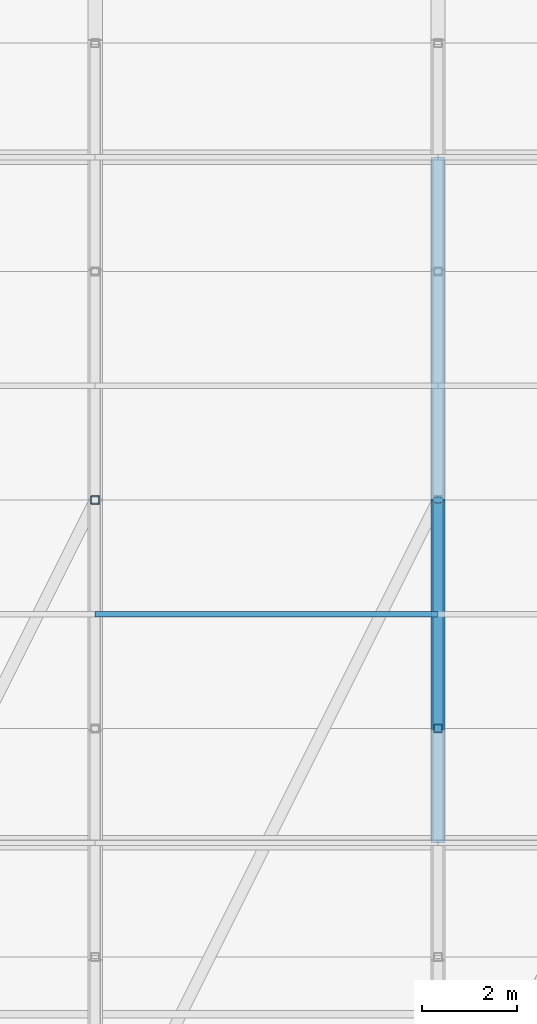
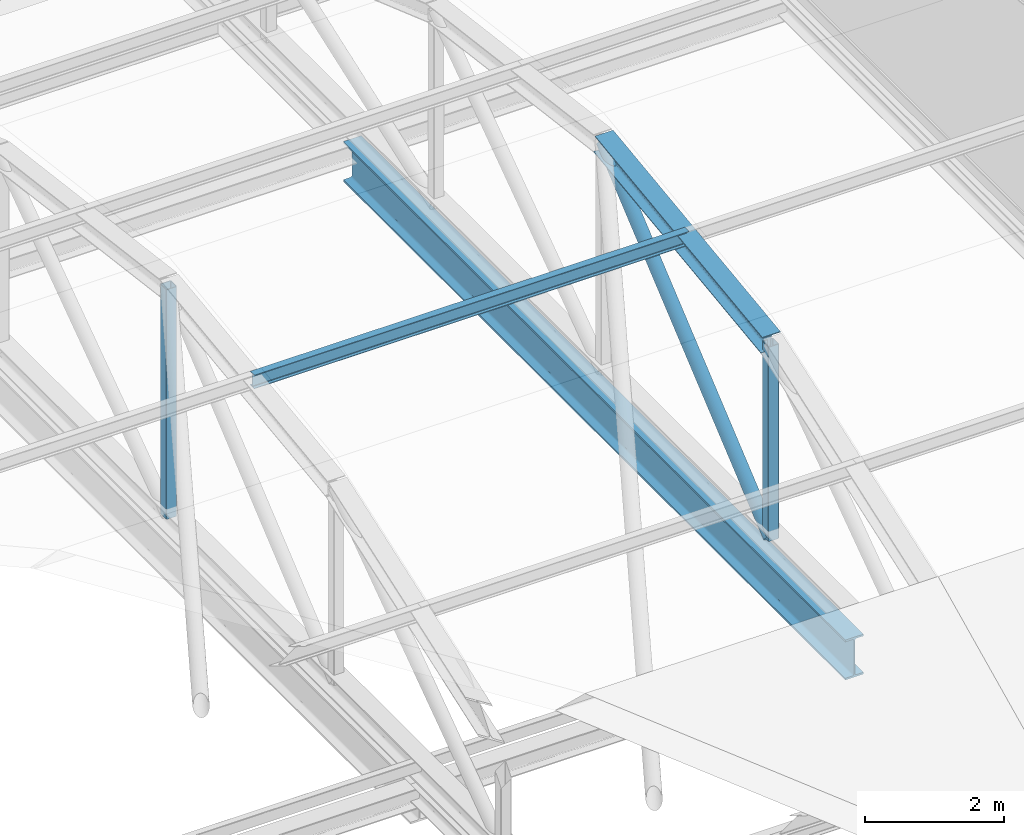
# One storey, part 21 of 103: 4 members, 2 beams.
"""IFC4 building model written with IfcOpenShell, lengths in metres."""

from ifc_helpers import new_model, si_unit, direction, frame, origin, origin_2d, place, context, subcontext, project, spatial, hollow_rectangle, hollow_circle, i_section, extrude, material, material_profile, profile_set, type_object, element, save


model = new_model("IFC4")

# Units and contexts
model_context = context("Model", 3, precision=1e-05, world=origin(), true_north=direction((0.0, 1.0)))
body_context = subcontext(model_context, "Body", "Model", "MODEL_VIEW")
ifc_project = project(units=[si_unit("LENGTHUNIT", "METRE"), si_unit("AREAUNIT", "SQUARE_METRE"), si_unit("VOLUMEUNIT", "CUBIC_METRE"), si_unit("PLANEANGLEUNIT", "RADIAN"), si_unit("MASSUNIT", "GRAM", prefix="KILO")], contexts=[model_context])

# Site, building, storey
site_placement = place(None, origin())
site = spatial("IfcSite", under=ifc_project, at=site_placement, CompositionType="ELEMENT")
building_placement = place(site_placement, origin())
building = spatial("IfcBuilding", under=site, at=building_placement, Name="Zlatovets Crest Museum", CompositionType="ELEMENT")
storey_placement = place(building_placement, frame((0.0, 0.0, 12.89990234375)))
storey = spatial("IfcBuildingStorey", under=building, at=storey_placement, Name="L03", CompositionType="ELEMENT", Elevation=12.89990234375)

# Beams
ifc_material = material(Name="Structural steel S355J2", Category="steel")
ifc_material_profile_1 = material_profile(ifc_material, i_section(OverallWidth=0.300048828125, OverallDepth=0.699951171875, WebThickness=0.01708984375, FlangeThickness=0.031982421875, FilletRadius=0.027099609375, at=origin_2d()), Name="HEB 700")
ifc_profile_set_1 = profile_set([ifc_material_profile_1], Name="Structural steel S355J2")
beam_type_1 = type_object("IfcBeamType", Name="Beam_B-08", PredefinedType="BEAM", material=ifc_profile_set_1)
beam_1_placement = place(storey_placement, frame((21.60009765625, 7.199951171875, -0.56982421875), z_axis=(0.0, 1.0, 0.0), x_axis=(-1.0, 0.0, 0.0)))
element("IfcBeam", 1, at=beam_1_placement, inside=storey, type_object=beam_type_1, Name="V3 L03 Grid Beam B-08", PredefinedType="BEAM", context=body_context, shape_type="SweptSolid", body=[
    extrude(i_section(OverallWidth=0.300048828125, OverallDepth=0.699951171875, WebThickness=0.01708984375, FlangeThickness=0.031982421875, FilletRadius=0.027099609375, at=origin_2d()), origin(), (0.0, 0.0, 1.0), 14.400146484375),
])
ifc_material_profile_2 = material_profile(ifc_material, i_section(OverallWidth=0.1201171875, OverallDepth=0.239990234375, WebThickness=0.006103515625, FlangeThickness=0.009765625, FilletRadius=0.014892578125, at=origin_2d()), Name="IPE 240")
ifc_profile_set_2 = profile_set([ifc_material_profile_2], Name="Structural steel S355J2")
beam_type_2 = type_object("IfcBeamType", Name="Beam_PR-01", PredefinedType="BEAM", material=ifc_profile_set_2)
beam_2_placement = place(storey_placement, frame((14.39990234375, 12.0, 3.89208984375), z_axis=(1.0, 0.0, 0.0), x_axis=(0.0, 1.0, 0.0)))
element("IfcBeam", 2, at=beam_2_placement, inside=storey, type_object=beam_type_2, Name="V3 Barrel Vault Longitudinal Purlin", PredefinedType="BEAM", context=body_context, shape_type="SweptSolid", body=[
    extrude(i_section(OverallWidth=0.1201171875, OverallDepth=0.239990234375, WebThickness=0.006103515625, FlangeThickness=0.009765625, FilletRadius=0.014892578125, at=origin_2d()), origin(), (0.0, 0.0, 1.0), 7.2001953125),
])

# Members
ifc_material_profile_3 = material_profile(ifc_material, i_section(OverallWidth=0.300048828125, OverallDepth=0.31005859375, WebThickness=0.009033203125, FlangeThickness=0.015380859375, FilletRadius=0.027099609375, at=origin_2d()), Name="HEA 320")
ifc_profile_set_3 = profile_set([ifc_material_profile_3], Name="Structural steel S355J2")
member_type_1 = type_object("IfcMemberType", Name="Member_TM-02", PredefinedType="RAFTER", material=ifc_profile_set_3)
member_1_placement = place(storey_placement, frame((21.60009765625, 9.60009765625, 3.48388671875), z_axis=(0.0, 0.991859459137, 0.127337399535), x_axis=(-1.0, 0.0, 0.0)))
element("IfcMember", 3, at=member_1_placement, inside=storey, type_object=member_type_1, Name="V3 Art Nouveau Curved Vault Rib", PredefinedType="RAFTER", context=body_context, shape_type="SweptSolid", body=[
    extrude(i_section(OverallWidth=0.300048828125, OverallDepth=0.31005859375, WebThickness=0.009033203125, FlangeThickness=0.015380859375, FilletRadius=0.027099609375, at=origin_2d()), origin(), (0.0, 0.0, 1.0), 4.839111328125),
])
ifc_material_profile_4 = material_profile(ifc_material, hollow_rectangle(XDim=0.179931640625, YDim=0.179931640625, WallThickness=0.010009765625, InnerFilletRadius=0.010009765625, OuterFilletRadius=0.02001953125, at=origin_2d()), Name="SHS 180x180x10.0")
ifc_profile_set_4 = profile_set([ifc_material_profile_4], Name="Structural steel S355J2")
member_type_2 = type_object("IfcMemberType", Name="Member_TM-04", PredefinedType="STRUT", material=ifc_profile_set_4)
member_2_placement = place(storey_placement, frame((14.39990234375, 14.39990234375, 0.080078125), z_axis=(0.0, 0.0, 1.0), x_axis=(1.0, 0.0, 0.0)))
element("IfcMember", 4, at=member_2_placement, inside=storey, type_object=member_type_2, Name="V3 Barrel Vault Web Strut", PredefinedType="STRUT", context=body_context, shape_type="SweptSolid", body=[
    extrude(hollow_rectangle(XDim=0.179931640625, YDim=0.179931640625, WallThickness=0.010009765625, InnerFilletRadius=0.010009765625, OuterFilletRadius=0.02001953125, at=origin_2d()), origin(), (0.0, 0.0, 1.0), 4.02001953125),
])
member_3_placement = place(storey_placement, frame((21.60009765625, 9.60009765625, 0.080078125), z_axis=(0.0, 0.0, 1.0), x_axis=(1.0, 0.0, 0.0)))
element("IfcMember", 5, at=member_3_placement, inside=storey, type_object=member_type_2, Name="V3 Barrel Vault Web Strut", PredefinedType="STRUT", context=body_context, shape_type="SweptSolid", body=[
    extrude(hollow_rectangle(XDim=0.179931640625, YDim=0.179931640625, WallThickness=0.010009765625, InnerFilletRadius=0.010009765625, OuterFilletRadius=0.02001953125, at=origin_2d()), origin(), (0.0, 0.0, 1.0), 3.40380859375),
])
ifc_material_profile_5 = material_profile(ifc_material, hollow_circle(Radius=0.109619140625, WallThickness=0.010009765625, at=origin_2d()), Name="CHS 219.1x10.0")
ifc_profile_set_5 = profile_set([ifc_material_profile_5], Name="Structural steel S355J2")
member_type_3 = type_object("IfcMemberType", Name="Member_TM-05", PredefinedType="BRACE", material=ifc_profile_set_5)
member_4_placement = place(storey_placement, frame((21.60009765625, 9.60009765625, 0.080078125), z_axis=(0.0, 0.76663357033, 0.642084861091), x_axis=(-1.0, 0.0, 0.0)))
element("IfcMember", 6, at=member_4_placement, inside=storey, type_object=member_type_3, Name="V3 Barrel Vault Web Diagonal", PredefinedType="BRACE", context=body_context, shape_type="SweptSolid", body=[
    extrude(hollow_circle(Radius=0.109619140625, WallThickness=0.010009765625, at=origin_2d()), origin(), (0.0, 0.0, 1.0), 6.260986328125),
])

save(model, "model.ifc")
